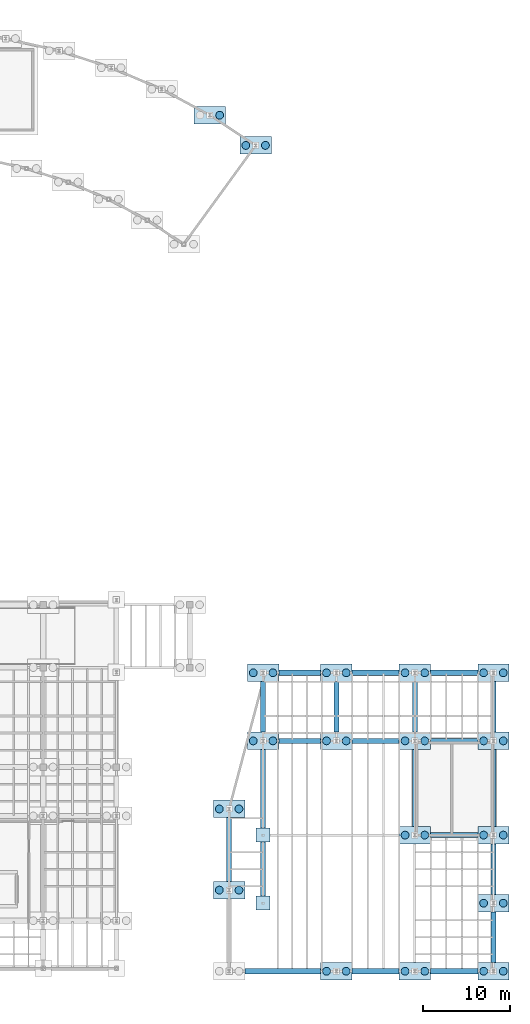
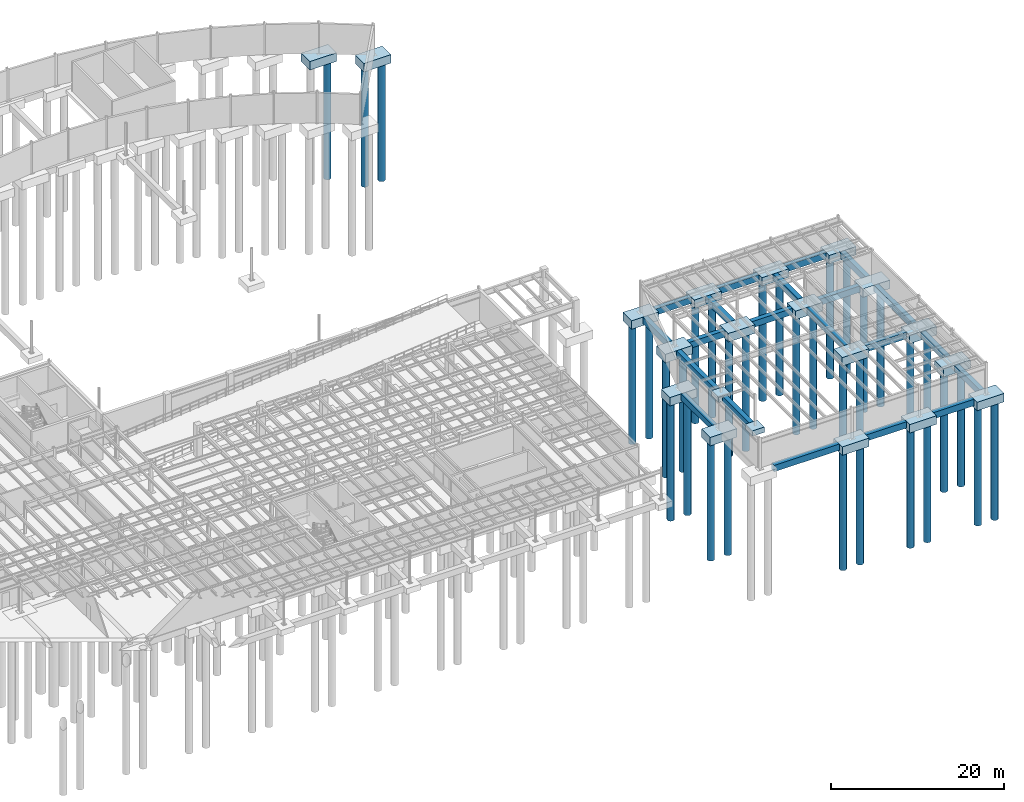
# One storey, part 5 of 41: 41 footings, 35 piles.
"""IFC4 building model written with IfcOpenShell, lengths in metres."""

from ifc_helpers import new_model, si_unit, direction, frame, origin, origin_2d, place, context, subcontext, project, spatial, rectangle, circle, extrude, material, material_profile, profile_set, type_object, element, save


model = new_model("IFC4")

# Units and contexts
model_context = context("Model", 3, precision=1e-05, world=origin(), true_north=direction((0.0, 1.0)))
body_context = subcontext(model_context, "Body", "Model", "MODEL_VIEW")
ifc_project = project(units=[si_unit("LENGTHUNIT", "METRE"), si_unit("AREAUNIT", "SQUARE_METRE"), si_unit("VOLUMEUNIT", "CUBIC_METRE"), si_unit("PLANEANGLEUNIT", "RADIAN"), si_unit("MASSUNIT", "GRAM", prefix="KILO")], contexts=[model_context])

# Site, building, storey
site_placement = place(None, origin())
site = spatial("IfcSite", under=ifc_project, at=site_placement, CompositionType="ELEMENT")
building_placement = place(site_placement, origin())
building = spatial("IfcBuilding", under=site, at=building_placement, Name="Selat Folded Stagehouse", CompositionType="ELEMENT")
storey_placement = place(building_placement, frame((0.0, 0.0, -4.5)))
storey = spatial("IfcBuildingStorey", under=building, at=storey_placement, Name="B1", CompositionType="ELEMENT", Elevation=-4.5)

# Footings
ifc_material = material(Name="Concrete C40/50", Category="concrete")
ifc_material_profile_1 = material_profile(ifc_material, rectangle(XDim=0.60009765625, YDim=0.89990234375, at=origin_2d()), Name="RC 900x600")
ifc_profile_set_1 = profile_set([ifc_material_profile_1], Name="Concrete C40/50")
footing_type_1 = type_object("IfcFootingType", Name="FTG-GB-600x900", PredefinedType="FOOTING_BEAM", material=ifc_profile_set_1)
footing_1_placement = place(storey_placement, frame((132.310546875, 0.0, -0.449951171875), z_axis=(1.0, 0.0, 0.0), x_axis=(0.0, 1.0, 0.0)))
element("IfcFooting", 1, at=footing_1_placement, inside=storey, type_object=footing_type_1, Name="Ground tie beam GB-X-001", PredefinedType="FOOTING_BEAM", context=body_context, shape_type="SweptSolid", body=[
    extrude(rectangle(XDim=0.60009765625, YDim=0.89990234375, at=origin_2d()), origin(), (0.0, 0.0, 1.0), 8.689453125),
])
for number, where, z_axis, x_axis, name in (
    (2, (144.60009765625, 0.0, -0.449951171875), (1.0, 0.0, 0.0), (0.0, 1.0, 0.0), "Ground tie beam GB-X-002"),
    (3, (153.60009765625, 0.0, -0.449951171875), (1.0, 0.0, 0.0), (0.0, 1.0, 0.0), "Ground tie beam GB-X-003"),
    (4, (153.60009765625, 15.60009765625, -0.449951171875), (1.0, 0.0, 0.0), (0.0, 1.0, 0.0), "Ground tie beam GB-X-022"),
):
    element("IfcFooting", number, at=place(storey_placement, frame(where, z_axis=z_axis, x_axis=x_axis)), inside=storey, type_object=footing_type_1, Name=name, PredefinedType="FOOTING_BEAM", context=body_context, shape_type="SweptSolid", body=[
        extrude(rectangle(XDim=0.60009765625, YDim=0.89990234375, at=origin_2d()), origin(), (0.0, 0.0, 1.0), 5.39990234375),
    ])
footing_2_placement = place(storey_placement, frame((136.199951171875, 26.39990234375, -0.449951171875), z_axis=(1.0, 0.0, 0.0), x_axis=(0.0, 1.0, 0.0)))
element("IfcFooting", 5, at=footing_2_placement, inside=storey, type_object=footing_type_1, Name="Ground tie beam GB-X-045", PredefinedType="FOOTING_BEAM", context=body_context, shape_type="SweptSolid", body=[
    extrude(rectangle(XDim=0.60009765625, YDim=0.89990234375, at=origin_2d()), origin(), (0.0, 0.0, 1.0), 4.800048828125),
])
for number, where, z_axis, x_axis, name in (
    (6, (144.60009765625, 26.39990234375, -0.449951171875), (1.0, 0.0, 0.0), (0.0, 1.0, 0.0), "Ground tie beam GB-X-046"),
    (7, (153.60009765625, 26.39990234375, -0.449951171875), (1.0, 0.0, 0.0), (0.0, 1.0, 0.0), "Ground tie beam GB-X-047"),
):
    element("IfcFooting", number, at=place(storey_placement, frame(where, z_axis=z_axis, x_axis=x_axis)), inside=storey, type_object=footing_type_1, Name=name, PredefinedType="FOOTING_BEAM", context=body_context, shape_type="SweptSolid", body=[
        extrude(rectangle(XDim=0.60009765625, YDim=0.89990234375, at=origin_2d()), origin(), (0.0, 0.0, 1.0), 5.39990234375),
    ])
footing_3_placement = place(storey_placement, frame((136.199951171875, 34.199951171875, -0.449951171875), z_axis=(1.0, 0.0, 0.0), x_axis=(0.0, 1.0, 0.0)))
element("IfcFooting", 8, at=footing_3_placement, inside=storey, type_object=footing_type_1, Name="Ground tie beam GB-X-048", PredefinedType="FOOTING_BEAM", context=body_context, shape_type="SweptSolid", body=[
    extrude(rectangle(XDim=0.60009765625, YDim=0.89990234375, at=origin_2d()), origin(), (0.0, 0.0, 1.0), 4.800048828125),
])
for number, where, z_axis, x_axis, name in (
    (9, (144.60009765625, 34.199951171875, -0.449951171875), (1.0, 0.0, 0.0), (0.0, 1.0, 0.0), "Ground tie beam GB-X-049"),
    (10, (153.60009765625, 34.199951171875, -0.449951171875), (1.0, 0.0, 0.0), (0.0, 1.0, 0.0), "Ground tie beam GB-X-050"),
):
    element("IfcFooting", number, at=place(storey_placement, frame(where, z_axis=z_axis, x_axis=x_axis)), inside=storey, type_object=footing_type_1, Name=name, PredefinedType="FOOTING_BEAM", context=body_context, shape_type="SweptSolid", body=[
        extrude(rectangle(XDim=0.60009765625, YDim=0.89990234375, at=origin_2d()), origin(), (0.0, 0.0, 1.0), 5.39990234375),
    ])
footing_4_placement = place(storey_placement, frame((130.510498046875, 10.300048828125, -0.449951171875), z_axis=(0.0, 1.0, 0.0), x_axis=(-1.0, 0.0, 0.0)))
element("IfcFooting", 11, at=footing_4_placement, inside=storey, type_object=footing_type_1, Name="Ground tie beam GB-Y-151", PredefinedType="FOOTING_BEAM", context=body_context, shape_type="SweptSolid", body=[
    extrude(rectangle(XDim=0.60009765625, YDim=0.89990234375, at=origin_2d()), origin(), (0.0, 0.0, 1.0), 7.300048828125),
])
footing_5_placement = place(storey_placement, frame((134.39990234375, 8.60009765625, -0.449951171875), z_axis=(0.0, 1.0, 0.0), x_axis=(-1.0, 0.0, 0.0)))
element("IfcFooting", 12, at=footing_5_placement, inside=storey, type_object=footing_type_1, Name="Ground tie beam GB-Y-152", PredefinedType="FOOTING_BEAM", context=body_context, shape_type="SweptSolid", body=[
    extrude(rectangle(XDim=0.60009765625, YDim=0.89990234375, at=origin_2d()), origin(), (0.0, 0.0, 1.0), 6.199951171875),
])
footing_6_placement = place(storey_placement, frame((134.39990234375, 16.39990234375, -0.449951171875), z_axis=(0.0, 1.0, 0.0), x_axis=(-1.0, 0.0, 0.0)))
element("IfcFooting", 13, at=footing_6_placement, inside=storey, type_object=footing_type_1, Name="Ground tie beam GB-Y-153", PredefinedType="FOOTING_BEAM", context=body_context, shape_type="SweptSolid", body=[
    extrude(rectangle(XDim=0.60009765625, YDim=0.89990234375, at=origin_2d()), origin(), (0.0, 0.0, 1.0), 9.0),
])
for number, where, z_axis, x_axis, name in (
    (14, (134.39990234375, 27.39990234375, -0.449951171875), (0.0, 1.0, 0.0), (-1.0, 0.0, 0.0), "Ground tie beam GB-Y-154"),
    (15, (142.800048828125, 27.39990234375, -0.449951171875), (0.0, 1.0, 0.0), (-1.0, 0.0, 0.0), "Ground tie beam GB-Y-155"),
):
    element("IfcFooting", number, at=place(storey_placement, frame(where, z_axis=z_axis, x_axis=x_axis)), inside=storey, type_object=footing_type_1, Name=name, PredefinedType="FOOTING_BEAM", context=body_context, shape_type="SweptSolid", body=[
        extrude(rectangle(XDim=0.60009765625, YDim=0.89990234375, at=origin_2d()), origin(), (0.0, 0.0, 1.0), 5.800048828125),
    ])
footing_7_placement = place(storey_placement, frame((151.800048828125, 16.60009765625, -0.449951171875), z_axis=(0.0, 1.0, 0.0), x_axis=(-1.0, 0.0, 0.0)))
element("IfcFooting", 16, at=footing_7_placement, inside=storey, type_object=footing_type_1, Name="Ground tie beam GB-Y-156", PredefinedType="FOOTING_BEAM", context=body_context, shape_type="SweptSolid", body=[
    extrude(rectangle(XDim=0.60009765625, YDim=0.89990234375, at=origin_2d()), origin(), (0.0, 0.0, 1.0), 8.7998046875),
])
for number, where, z_axis, x_axis, name in (
    (17, (151.800048828125, 27.39990234375, -0.449951171875), (0.0, 1.0, 0.0), (-1.0, 0.0, 0.0), "Ground tie beam GB-Y-157"),
    (18, (160.800048828125, 1.0, -0.449951171875), (0.0, 1.0, 0.0), (-1.0, 0.0, 0.0), "Ground tie beam GB-Y-158"),
    (19, (160.800048828125, 8.800048828125, -0.449951171875), (0.0, 1.0, 0.0), (-1.0, 0.0, 0.0), "Ground tie beam GB-Y-159"),
):
    element("IfcFooting", number, at=place(storey_placement, frame(where, z_axis=z_axis, x_axis=x_axis)), inside=storey, type_object=footing_type_1, Name=name, PredefinedType="FOOTING_BEAM", context=body_context, shape_type="SweptSolid", body=[
        extrude(rectangle(XDim=0.60009765625, YDim=0.89990234375, at=origin_2d()), origin(), (0.0, 0.0, 1.0), 5.800048828125),
    ])
footing_8_placement = place(storey_placement, frame((160.800048828125, 16.60009765625, -0.449951171875), z_axis=(0.0, 1.0, 0.0), x_axis=(-1.0, 0.0, 0.0)))
element("IfcFooting", 20, at=footing_8_placement, inside=storey, type_object=footing_type_1, Name="Ground tie beam GB-Y-160", PredefinedType="FOOTING_BEAM", context=body_context, shape_type="SweptSolid", body=[
    extrude(rectangle(XDim=0.60009765625, YDim=0.89990234375, at=origin_2d()), origin(), (0.0, 0.0, 1.0), 8.7998046875),
])
footing_9_placement = place(storey_placement, frame((160.800048828125, 27.39990234375, -0.449951171875), z_axis=(0.0, 1.0, 0.0), x_axis=(-1.0, 0.0, 0.0)))
element("IfcFooting", 21, at=footing_9_placement, inside=storey, type_object=footing_type_1, Name="Ground tie beam GB-Y-161", PredefinedType="FOOTING_BEAM", context=body_context, shape_type="SweptSolid", body=[
    extrude(rectangle(XDim=0.60009765625, YDim=0.89990234375, at=origin_2d()), origin(), (0.0, 0.0, 1.0), 5.800048828125),
])
footing_type_2 = type_object("IfcFootingType", Name="FTG-PAD-1600x1600x750", PredefinedType="PAD_FOOTING", material=ifc_material)
for number, where, z_axis, x_axis, name in (
    (22, (134.39990234375, 7.800048828125, -0.75), (0.0, 0.0, 1.0), (1.0, 0.0, 0.0), "Pilaster pad 3"),
    (23, (134.39990234375, 15.60009765625, -0.75), (0.0, 0.0, 1.0), (1.0, 0.0, 0.0), "Pilaster pad 4"),
):
    element("IfcFooting", number, at=place(storey_placement, frame(where, z_axis=z_axis, x_axis=x_axis)), inside=storey, type_object=footing_type_2, Name=name, PredefinedType="PAD_FOOTING", context=body_context, shape_type="SweptSolid", body=[
        extrude(rectangle(XDim=1.60009765625, YDim=1.60009765625, at=origin_2d()), origin(), (0.0, 0.0, 1.0), 0.75),
    ])
footing_type_3 = type_object("IfcFootingType", Name="FTG-PC-3600x2000x1200", PredefinedType="PILE_CAP", material=ifc_material)
for number, where, z_axis, x_axis, name in (
    (24, (130.510498046875, 9.300048828125, -1.2001953125), (0.0, 0.0, 1.0), (1.0, 0.0, 0.0), "Foundation STK-V3-01"),
    (25, (130.510498046875, 18.60009765625, -1.2001953125), (0.0, 0.0, 1.0), (1.0, 0.0, 0.0), "Foundation STK-V3-02"),
    (26, (134.39990234375, 26.39990234375, -1.2001953125), (0.0, 0.0, 1.0), (1.0, 0.0, 0.0), "Foundation STK-V3-03"),
    (27, (134.39990234375, 34.199951171875, -1.2001953125), (0.0, 0.0, 1.0), (1.0, 0.0, 0.0), "Foundation STK-V3-04"),
    (28, (142.800048828125, 0.0, -1.2001953125), (0.0, 0.0, 1.0), (1.0, 0.0, 0.0), "Foundation STK-V3-05"),
    (29, (142.800048828125, 26.39990234375, -1.2001953125), (0.0, 0.0, 1.0), (1.0, 0.0, 0.0), "Foundation STK-V3-06"),
    (30, (142.800048828125, 34.199951171875, -1.2001953125), (0.0, 0.0, 1.0), (1.0, 0.0, 0.0), "Foundation STK-V3-07"),
    (31, (151.800048828125, 0.0, -1.2001953125), (0.0, 0.0, 1.0), (1.0, 0.0, 0.0), "Foundation STK-V3-08"),
    (32, (151.800048828125, 15.60009765625, -1.2001953125), (0.0, 0.0, 1.0), (1.0, 0.0, 0.0), "Foundation STK-V3-09"),
    (33, (151.800048828125, 26.39990234375, -1.2001953125), (0.0, 0.0, 1.0), (1.0, 0.0, 0.0), "Foundation STK-V3-10"),
    (34, (151.800048828125, 34.199951171875, -1.2001953125), (0.0, 0.0, 1.0), (1.0, 0.0, 0.0), "Foundation STK-V3-11"),
    (35, (160.800048828125, 0.0, -1.2001953125), (0.0, 0.0, 1.0), (1.0, 0.0, 0.0), "Foundation STK-V3-12"),
    (36, (160.800048828125, 7.800048828125, -1.2001953125), (0.0, 0.0, 1.0), (1.0, 0.0, 0.0), "Foundation STK-V3-13"),
    (37, (160.800048828125, 15.60009765625, -1.2001953125), (0.0, 0.0, 1.0), (1.0, 0.0, 0.0), "Foundation STK-V3-14"),
    (38, (160.800048828125, 26.39990234375, -1.2001953125), (0.0, 0.0, 1.0), (1.0, 0.0, 0.0), "Foundation STK-V3-15"),
    (39, (160.800048828125, 34.199951171875, -1.2001953125), (0.0, 0.0, 1.0), (1.0, 0.0, 0.0), "Foundation STK-V3-16"),
    (40, (128.302978515625, 98.09130859375, -1.2001953125), (0.0, 0.0, 1.0), (1.0, 0.0, 0.0), "Foundation STK-V6OUT-13"),
    (41, (133.544921875, 94.631103515625, -1.2001953125), (0.0, 0.0, 1.0), (1.0, 0.0, 0.0), "Foundation STK-V6OUT-14"),
):
    element("IfcFooting", number, at=place(storey_placement, frame(where, z_axis=z_axis, x_axis=x_axis)), inside=storey, type_object=footing_type_3, Name=name, PredefinedType="PILE_CAP", context=body_context, shape_type="SweptSolid", body=[
        extrude(rectangle(XDim=3.60009765625, YDim=2.0, at=origin_2d()), origin(), (0.0, 0.0, 1.0), 1.199951171875),
    ])

# Piles
ifc_material_profile_2 = material_profile(ifc_material, circle(Radius=0.449951171875, at=origin_2d()), Name="PILE D900")
ifc_profile_set_2 = profile_set([ifc_material_profile_2], Name="Concrete C40/50")
pile_type = type_object("IfcPileType", Name="PILE-BORED-900-B1", PredefinedType="BORED", material=ifc_profile_set_2)
for number, where, z_axis, x_axis, name in (
    (42, (129.385498046875, 9.300048828125, -1.10009765625), (0.0, 0.0, -1.0), (1.0, 0.0, 0.0), "Bored pile PIL-STK-V3-01-1"),
    (43, (131.635498046875, 9.300048828125, -1.10009765625), (0.0, 0.0, -1.0), (1.0, 0.0, 0.0), "Bored pile PIL-STK-V3-01-2"),
    (44, (129.385498046875, 18.60009765625, -1.10009765625), (0.0, 0.0, -1.0), (1.0, 0.0, 0.0), "Bored pile PIL-STK-V3-02-1"),
    (45, (131.635498046875, 18.60009765625, -1.10009765625), (0.0, 0.0, -1.0), (1.0, 0.0, 0.0), "Bored pile PIL-STK-V3-02-2"),
    (46, (133.27490234375, 26.39990234375, -1.10009765625), (0.0, 0.0, -1.0), (1.0, 0.0, 0.0), "Bored pile PIL-STK-V3-03-1"),
    (47, (135.52490234375, 26.39990234375, -1.10009765625), (0.0, 0.0, -1.0), (1.0, 0.0, 0.0), "Bored pile PIL-STK-V3-03-2"),
    (48, (133.27490234375, 34.199951171875, -1.10009765625), (0.0, 0.0, -1.0), (1.0, 0.0, 0.0), "Bored pile PIL-STK-V3-04-1"),
    (49, (135.52490234375, 34.199951171875, -1.10009765625), (0.0, 0.0, -1.0), (1.0, 0.0, 0.0), "Bored pile PIL-STK-V3-04-2"),
    (50, (141.675048828125, 0.0, -1.10009765625), (0.0, 0.0, -1.0), (1.0, 0.0, 0.0), "Bored pile PIL-STK-V3-05-1"),
    (51, (143.925048828125, 0.0, -1.10009765625), (0.0, 0.0, -1.0), (1.0, 0.0, 0.0), "Bored pile PIL-STK-V3-05-2"),
    (52, (141.675048828125, 26.39990234375, -1.10009765625), (0.0, 0.0, -1.0), (1.0, 0.0, 0.0), "Bored pile PIL-STK-V3-06-1"),
    (53, (143.925048828125, 26.39990234375, -1.10009765625), (0.0, 0.0, -1.0), (1.0, 0.0, 0.0), "Bored pile PIL-STK-V3-06-2"),
    (54, (141.675048828125, 34.199951171875, -1.10009765625), (0.0, 0.0, -1.0), (1.0, 0.0, 0.0), "Bored pile PIL-STK-V3-07-1"),
    (55, (143.925048828125, 34.199951171875, -1.10009765625), (0.0, 0.0, -1.0), (1.0, 0.0, 0.0), "Bored pile PIL-STK-V3-07-2"),
    (56, (150.675048828125, 0.0, -1.10009765625), (0.0, 0.0, -1.0), (1.0, 0.0, 0.0), "Bored pile PIL-STK-V3-08-1"),
    (57, (152.925048828125, 0.0, -1.10009765625), (0.0, 0.0, -1.0), (1.0, 0.0, 0.0), "Bored pile PIL-STK-V3-08-2"),
    (58, (150.675048828125, 15.60009765625, -1.10009765625), (0.0, 0.0, -1.0), (1.0, 0.0, 0.0), "Bored pile PIL-STK-V3-09-1"),
    (59, (152.925048828125, 15.60009765625, -1.10009765625), (0.0, 0.0, -1.0), (1.0, 0.0, 0.0), "Bored pile PIL-STK-V3-09-2"),
    (60, (150.675048828125, 26.39990234375, -1.10009765625), (0.0, 0.0, -1.0), (1.0, 0.0, 0.0), "Bored pile PIL-STK-V3-10-1"),
    (61, (152.925048828125, 26.39990234375, -1.10009765625), (0.0, 0.0, -1.0), (1.0, 0.0, 0.0), "Bored pile PIL-STK-V3-10-2"),
    (62, (150.675048828125, 34.199951171875, -1.10009765625), (0.0, 0.0, -1.0), (1.0, 0.0, 0.0), "Bored pile PIL-STK-V3-11-1"),
    (63, (152.925048828125, 34.199951171875, -1.10009765625), (0.0, 0.0, -1.0), (1.0, 0.0, 0.0), "Bored pile PIL-STK-V3-11-2"),
    (64, (159.675048828125, 0.0, -1.10009765625), (0.0, 0.0, -1.0), (1.0, 0.0, 0.0), "Bored pile PIL-STK-V3-12-1"),
    (65, (161.925048828125, 0.0, -1.10009765625), (0.0, 0.0, -1.0), (1.0, 0.0, 0.0), "Bored pile PIL-STK-V3-12-2"),
    (66, (159.675048828125, 7.800048828125, -1.10009765625), (0.0, 0.0, -1.0), (1.0, 0.0, 0.0), "Bored pile PIL-STK-V3-13-1"),
    (67, (161.925048828125, 7.800048828125, -1.10009765625), (0.0, 0.0, -1.0), (1.0, 0.0, 0.0), "Bored pile PIL-STK-V3-13-2"),
    (68, (159.675048828125, 15.60009765625, -1.10009765625), (0.0, 0.0, -1.0), (1.0, 0.0, 0.0), "Bored pile PIL-STK-V3-14-1"),
    (69, (161.925048828125, 15.60009765625, -1.10009765625), (0.0, 0.0, -1.0), (1.0, 0.0, 0.0), "Bored pile PIL-STK-V3-14-2"),
    (70, (159.675048828125, 26.39990234375, -1.10009765625), (0.0, 0.0, -1.0), (1.0, 0.0, 0.0), "Bored pile PIL-STK-V3-15-1"),
    (71, (161.925048828125, 26.39990234375, -1.10009765625), (0.0, 0.0, -1.0), (1.0, 0.0, 0.0), "Bored pile PIL-STK-V3-15-2"),
    (72, (159.675048828125, 34.199951171875, -1.10009765625), (0.0, 0.0, -1.0), (1.0, 0.0, 0.0), "Bored pile PIL-STK-V3-16-1"),
    (73, (161.925048828125, 34.199951171875, -1.10009765625), (0.0, 0.0, -1.0), (1.0, 0.0, 0.0), "Bored pile PIL-STK-V3-16-2"),
    (74, (129.427978515625, 98.09130859375, -1.10009765625), (0.0, 0.0, -1.0), (1.0, 0.0, 0.0), "Bored pile PIL-STK-V6OUT-13-2"),
    (75, (132.419921875, 94.631103515625, -1.10009765625), (0.0, 0.0, -1.0), (1.0, 0.0, 0.0), "Bored pile PIL-STK-V6OUT-14-1"),
    (76, (134.669921875, 94.631103515625, -1.10009765625), (0.0, 0.0, -1.0), (1.0, 0.0, 0.0), "Bored pile PIL-STK-V6OUT-14-2"),
):
    element("IfcPile", number, at=place(storey_placement, frame(where, z_axis=z_axis, x_axis=x_axis)), inside=storey, type_object=pile_type, Name=name, PredefinedType="BORED", context=body_context, shape_type="SweptSolid", body=[
        extrude(circle(Radius=0.449951171875, at=origin_2d()), origin(), (0.0, 0.0, 1.0), 16.89990234375),
    ])

save(model, "model.ifc")
